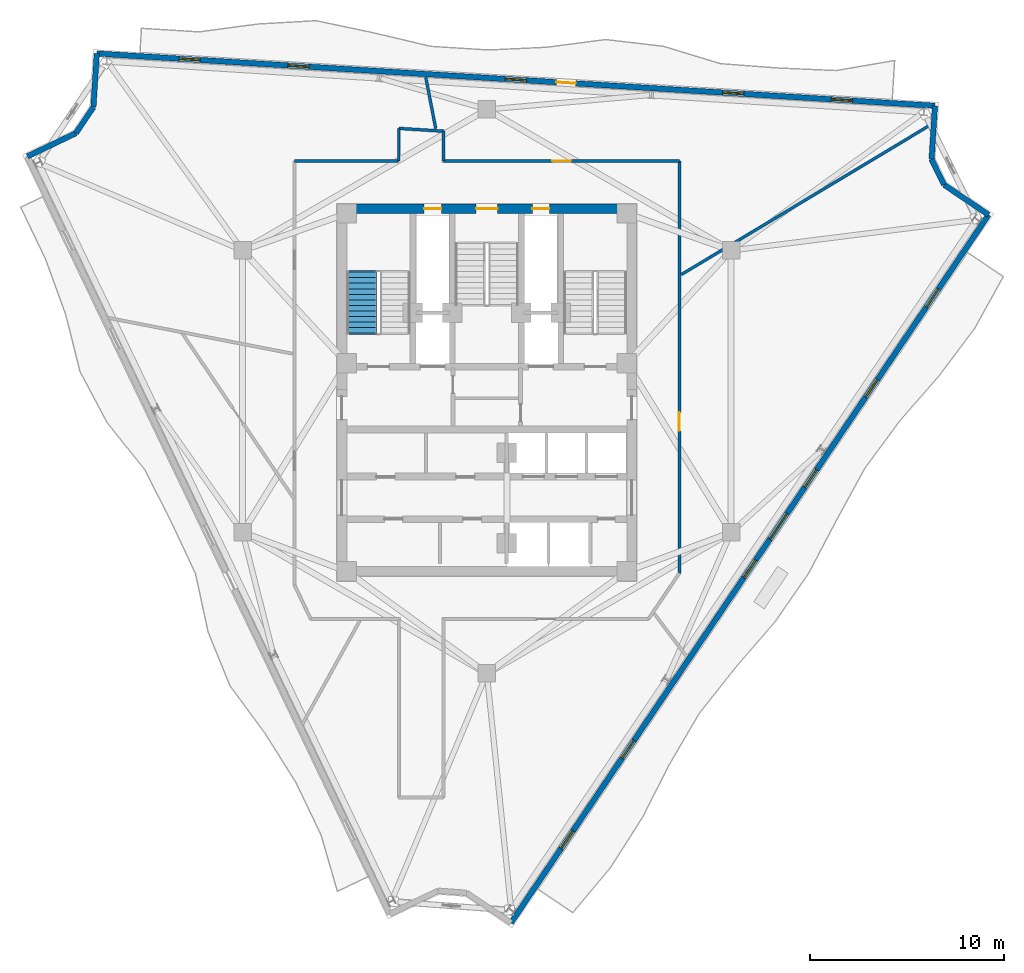
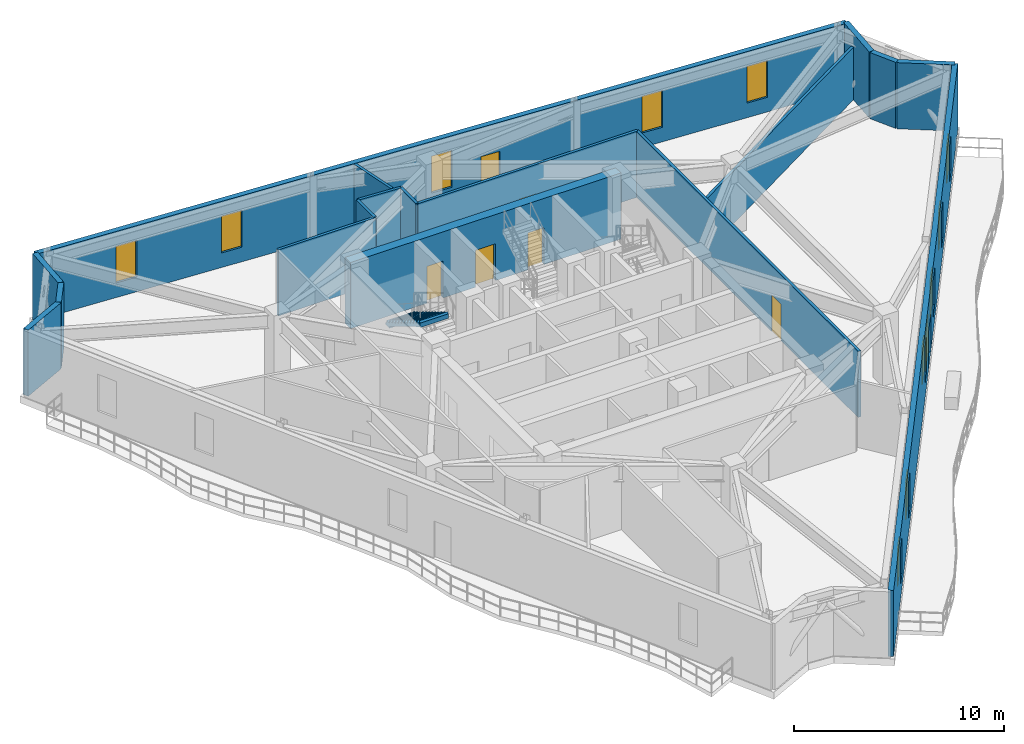
# One storey, part 7 of 11: 17 walls, 11 windows, 7 doors, 1 stair flight, 18 openings, 1 element without a shape of its own.
"""IFC4 building model written with IfcOpenShell, lengths in metres."""

from ifc_helpers import new_model, si_unit, direction, frame, frame_2d, origin, place, context, subcontext, project, spatial, polyline, rectangle, outline, extrude, material, layer, layer_set, type_object, element, fill, aggregate, save


model = new_model("IFC4")

# Units and contexts
model_context = context("Model", 3, precision=1e-05, world=origin(), true_north=direction((0.0, 1.0)))
body_context = subcontext(model_context, "Body", "Model", "MODEL_VIEW")
ifc_project = project(units=[si_unit("LENGTHUNIT", "METRE"), si_unit("AREAUNIT", "SQUARE_METRE"), si_unit("VOLUMEUNIT", "CUBIC_METRE"), si_unit("PLANEANGLEUNIT", "RADIAN"), si_unit("MASSUNIT", "GRAM", prefix="KILO")], contexts=[model_context])

# Site, building, storey
site_placement = place(None, origin())
site = spatial("IfcSite", under=ifc_project, at=site_placement, CompositionType="ELEMENT")
building_placement = place(site_placement, origin())
building = spatial("IfcBuilding", under=site, at=building_placement, Name="Apsidion Concourse Tower", CompositionType="ELEMENT")
storey_placement = place(building_placement, frame((0.0, 0.0, 294.199951171875)))
storey = spatial("IfcBuildingStorey", under=building, at=storey_placement, Name="L69", CompositionType="ELEMENT", Elevation=294.199951171875)

# Wall, openings, door, windows
ifc_material_1 = material(Name="Precast concrete C40/50", Category="concrete")
ifc_layer_1 = layer(ifc_material_1, 0.280029296875)
ifc_layer_set_1 = layer_set([ifc_layer_1], Name="Precast concrete C40/50")
wall_type_1 = type_object("IfcWallType", Name="WL-EXT-280", PredefinedType="STANDARD", material=ifc_layer_set_1)
wall_1_placement = place(storey_placement, frame((-20.056396484375, 17.376220703125, 0.0), z_axis=(0.0, 0.0, 1.0), x_axis=(0.998061236898, -0.06223959674, 0.0)))
wall_1 = element("IfcWall", 1, at=wall_1_placement, inside=storey, type_object=wall_type_1, Name="L69 Precast Stone Facade Wall 01", PredefinedType="STANDARD", context=body_context, shape_type="SweptSolid", body=[
    extrude(rectangle(XDim=43.179931640625, YDim=0.280029296875, at=frame_2d((21.58984375, 0.0))), origin(), (0.0, 0.0, 1.0), 3.85009765625),
])
opening_1_placement = place(wall_1_placement, frame((23.680908203125, 0.0, 0.0)))
opening_1 = element("IfcOpeningElement", 2, at=opening_1_placement, cuts=wall_1, Name="Opening D-T1R", PredefinedType="OPENING", context=body_context, shape_type="SweptSolid", body=[
    extrude(rectangle(XDim=1.0, YDim=2.14990234375, at=frame_2d((0.5, 1.074951171875))), frame((0.0, 0.14990234375, 0.0), z_axis=(0.0, -1.0, 0.0), x_axis=(1.0, 0.0, 0.0)), (0.0, 0.0, 1.0), 0.300048828125),
])
opening_2_placement = place(wall_1_placement, frame((4.239990234375, 0.0, 0.85009765625)))
opening_2 = element("IfcOpeningElement", 3, at=opening_2_placement, cuts=wall_1, Name="Opening WN-07", PredefinedType="OPENING", context=body_context, shape_type="SweptSolid", body=[
    extrude(rectangle(XDim=1.10009765625, YDim=2.14990234375, at=frame_2d((0.550048828125, 1.074951171875))), frame((0.0, 0.14990234375, 0.0), z_axis=(0.0, -1.0, 0.0), x_axis=(1.0, 0.0, 0.0)), (0.0, 0.0, 1.0), 0.300048828125),
])
opening_3_placement = place(wall_1_placement, frame((9.840087890625, 0.0, 0.85009765625)))
opening_3 = element("IfcOpeningElement", 4, at=opening_3_placement, cuts=wall_1, Name="Opening WN-07", PredefinedType="OPENING", context=body_context, shape_type="SweptSolid", body=[
    extrude(rectangle(XDim=1.10009765625, YDim=2.14990234375, at=frame_2d((0.550048828125, 1.074951171875))), frame((0.0, 0.14990234375, 0.0), z_axis=(0.0, -1.0, 0.0), x_axis=(1.0, 0.0, 0.0)), (0.0, 0.0, 1.0), 0.300048828125),
])
opening_4_placement = place(wall_1_placement, frame((21.0400390625, 0.0, 0.85009765625)))
opening_4 = element("IfcOpeningElement", 5, at=opening_4_placement, cuts=wall_1, Name="Opening WN-07", PredefinedType="OPENING", context=body_context, shape_type="SweptSolid", body=[
    extrude(rectangle(XDim=1.10009765625, YDim=2.14990234375, at=frame_2d((0.550048828125, 1.074951171875))), frame((0.0, 0.14990234375, 0.0), z_axis=(0.0, -1.0, 0.0), x_axis=(1.0, 0.0, 0.0)), (0.0, 0.0, 1.0), 0.300048828125),
])
opening_5_placement = place(wall_1_placement, frame((32.239990234375, 0.0, 0.85009765625)))
opening_5 = element("IfcOpeningElement", 6, at=opening_5_placement, cuts=wall_1, Name="Opening WN-07", PredefinedType="OPENING", context=body_context, shape_type="SweptSolid", body=[
    extrude(rectangle(XDim=1.10009765625, YDim=2.14990234375, at=frame_2d((0.550048828125, 1.074951171875))), frame((0.0, 0.14990234375, 0.0), z_axis=(0.0, -1.0, 0.0), x_axis=(1.0, 0.0, 0.0)), (0.0, 0.0, 1.0), 0.300048828125),
])
opening_6_placement = place(wall_1_placement, frame((37.840087890625, 0.0, 0.85009765625)))
opening_6 = element("IfcOpeningElement", 7, at=opening_6_placement, cuts=wall_1, Name="Opening WN-07", PredefinedType="OPENING", context=body_context, shape_type="SweptSolid", body=[
    extrude(rectangle(XDim=1.10009765625, YDim=2.14990234375, at=frame_2d((0.550048828125, 1.074951171875))), frame((0.0, 0.14990234375, 0.0), z_axis=(0.0, -1.0, 0.0), x_axis=(1.0, 0.0, 0.0)), (0.0, 0.0, 1.0), 0.300048828125),
])
ifc_material_2 = material(Name="Anodised aluminium EN AW-6063 T6", Category="aluminium")
door_type_1 = type_object("IfcDoorType", Name="DR-TER-1022R", OperationType="SINGLE_SWING_RIGHT", PredefinedType="DOOR", material=ifc_material_2)
door_1_placement = place(opening_1_placement, origin())
door_1 = element("IfcDoor", 8, at=door_1_placement, inside=storey, type_object=door_type_1, Name="L69 Balcony Access Door 3", OperationType="SINGLE_SWING_RIGHT", OverallHeight=2.14990234375, OverallWidth=1.0, PredefinedType="DOOR", context=body_context, shape_type="SweptSolid", body=[
    extrude(rectangle(XDim=1.0, YDim=2.14990234375, at=frame_2d((0.5, 1.074951171875))), frame((0.0, 0.02490234375, 0.0), z_axis=(0.0, -1.0, 0.0), x_axis=(1.0, 0.0, 0.0)), (0.0, 0.0, 1.0), 0.050048828125),
])
fill(opening_1, door_1)
ifc_material_3 = material(Name="Insulated laminated low-E glass", Category="glass")
window_type = type_object("IfcWindowType", Name="WN-OFF-1123", PartitioningType="SINGLE_PANEL", PredefinedType="WINDOW", material=ifc_material_3)
window_1_placement = place(opening_2_placement, origin())
window_1 = element("IfcWindow", 9, at=window_1_placement, inside=storey, type_object=window_type, Name="L69 Punched Facade Window 1-01", OverallHeight=2.14990234375, OverallWidth=1.10009765625, PartitioningType="SINGLE_PANEL", PredefinedType="WINDOW", context=body_context, shape_type="SweptSolid", body=[
    extrude(rectangle(XDim=1.10009765625, YDim=2.14990234375, at=frame_2d((0.550048828125, 1.074951171875))), frame((0.0, 0.030029296875, 0.0), z_axis=(0.0, -1.0, 0.0), x_axis=(1.0, 0.0, 0.0)), (0.0, 0.0, 1.0), 0.06005859375),
])
fill(opening_2, window_1)
window_2_placement = place(opening_3_placement, origin())
window_2 = element("IfcWindow", 10, at=window_2_placement, inside=storey, type_object=window_type, Name="L69 Punched Facade Window 1-02", OverallHeight=2.14990234375, OverallWidth=1.10009765625, PartitioningType="SINGLE_PANEL", PredefinedType="WINDOW", context=body_context, shape_type="SweptSolid", body=[
    extrude(rectangle(XDim=1.10009765625, YDim=2.14990234375, at=frame_2d((0.550048828125, 1.074951171875))), frame((0.0, 0.030029296875, 0.0), z_axis=(0.0, -1.0, 0.0), x_axis=(1.0, 0.0, 0.0)), (0.0, 0.0, 1.0), 0.06005859375),
])
fill(opening_3, window_2)
window_3_placement = place(opening_4_placement, origin())
window_3 = element("IfcWindow", 11, at=window_3_placement, inside=storey, type_object=window_type, Name="L69 Punched Facade Window 1-04", OverallHeight=2.14990234375, OverallWidth=1.10009765625, PartitioningType="SINGLE_PANEL", PredefinedType="WINDOW", context=body_context, shape_type="SweptSolid", body=[
    extrude(rectangle(XDim=1.10009765625, YDim=2.14990234375, at=frame_2d((0.550048828125, 1.074951171875))), frame((0.0, 0.030029296875, 0.0), z_axis=(0.0, -1.0, 0.0), x_axis=(1.0, 0.0, 0.0)), (0.0, 0.0, 1.0), 0.06005859375),
])
fill(opening_4, window_3)
window_4_placement = place(opening_5_placement, origin())
window_4 = element("IfcWindow", 12, at=window_4_placement, inside=storey, type_object=window_type, Name="L69 Punched Facade Window 1-06", OverallHeight=2.14990234375, OverallWidth=1.10009765625, PartitioningType="SINGLE_PANEL", PredefinedType="WINDOW", context=body_context, shape_type="SweptSolid", body=[
    extrude(rectangle(XDim=1.10009765625, YDim=2.14990234375, at=frame_2d((0.550048828125, 1.074951171875))), frame((0.0, 0.030029296875, 0.0), z_axis=(0.0, -1.0, 0.0), x_axis=(1.0, 0.0, 0.0)), (0.0, 0.0, 1.0), 0.06005859375),
])
fill(opening_5, window_4)
window_5_placement = place(opening_6_placement, origin())
window_5 = element("IfcWindow", 13, at=window_5_placement, inside=storey, type_object=window_type, Name="L69 Punched Facade Window 1-07", OverallHeight=2.14990234375, OverallWidth=1.10009765625, PartitioningType="SINGLE_PANEL", PredefinedType="WINDOW", context=body_context, shape_type="SweptSolid", body=[
    extrude(rectangle(XDim=1.10009765625, YDim=2.14990234375, at=frame_2d((0.550048828125, 1.074951171875))), frame((0.0, 0.030029296875, 0.0), z_axis=(0.0, -1.0, 0.0), x_axis=(1.0, 0.0, 0.0)), (0.0, 0.0, 1.0), 0.06005859375),
])
fill(opening_6, window_5)

# Walls
wall_2_placement = place(storey_placement, frame((23.039794921875, 14.688720703125, 0.0), z_axis=(0.0, 0.0, 1.0), x_axis=(-0.062295651102, -0.998057739739, 0.0)))
element("IfcWall", 14, at=wall_2_placement, inside=storey, type_object=wall_type_1, Name="L69 Precast Stone Facade Wall 02", PredefinedType="STANDARD", context=body_context, shape_type="SweptSolid", body=[
    extrude(rectangle(XDim=2.759033203125, YDim=0.280029296875, at=frame_2d((1.37939453125, 0.0))), origin(), (0.0, 0.0, 1.0), 3.85009765625),
])
wall_3_placement = place(storey_placement, frame((22.867919921875, 11.93505859375, 0.0), z_axis=(0.0, 0.0, 1.0), x_axis=(0.441785524615, -0.897120699929, 0.0)))
element("IfcWall", 15, at=wall_3_placement, inside=storey, type_object=wall_type_1, Name="L69 Precast Stone Facade Wall 03", PredefinedType="STANDARD", context=body_context, shape_type="SweptSolid", body=[
    extrude(rectangle(XDim=1.45947265625, YDim=0.280029296875, at=frame_2d((0.729736328125, 0.0))), origin(), (0.0, 0.0, 1.0), 3.85009765625),
])
wall_4_placement = place(storey_placement, frame((23.5126953125, 10.625732421875, 0.0), z_axis=(0.0, 0.0, 1.0), x_axis=(0.829056864924, -0.559164300294, 0.0)))
element("IfcWall", 16, at=wall_4_placement, inside=storey, type_object=wall_type_1, Name="L69 Precast Stone Facade Wall 04", PredefinedType="STANDARD", context=body_context, shape_type="SweptSolid", body=[
    extrude(rectangle(XDim=2.759033203125, YDim=0.280029296875, at=frame_2d((1.37939453125, 0.0))), origin(), (0.0, 0.0, 1.0), 3.85009765625),
])

# Wall, openings, door, windows
wall_5_placement = place(storey_placement, frame((25.800048828125, 9.0830078125, 0.0), z_axis=(0.0, 0.0, 1.0), x_axis=(-0.55919392155, -0.829036885851, 0.0)))
wall_5 = element("IfcWall", 17, at=wall_5_placement, inside=storey, type_object=wall_type_1, Name="L69 Precast Stone Facade Wall 05", PredefinedType="STANDARD", context=body_context, shape_type="SweptSolid", body=[
    extrude(rectangle(XDim=43.914794921875, YDim=0.280029296875, at=frame_2d((21.95751953125, 0.0))), origin(), (0.0, 0.0, 1.0), 3.85009765625),
])
opening_7_placement = place(wall_5_placement, frame((18.5224609375, 0.0, 0.0)))
opening_7 = element("IfcOpeningElement", 18, at=opening_7_placement, cuts=wall_5, Name="Opening D-T2D", PredefinedType="OPENING", context=body_context, shape_type="SweptSolid", body=[
    extrude(rectangle(XDim=1.60009765625, YDim=2.199951171875, at=frame_2d((0.800048828125, 1.10009765625))), frame((0.0, 0.14990234375, 0.0), z_axis=(0.0, -1.0, 0.0), x_axis=(1.0, 0.0, 0.0)), (0.0, 0.0, 1.0), 0.300048828125),
])
opening_8_placement = place(wall_5_placement, frame((4.607421875, 0.0, 0.85009765625)))
opening_8 = element("IfcOpeningElement", 19, at=opening_8_placement, cuts=wall_5, Name="Opening WN-07", PredefinedType="OPENING", context=body_context, shape_type="SweptSolid", body=[
    extrude(rectangle(XDim=1.10009765625, YDim=2.14990234375, at=frame_2d((0.550048828125, 1.074951171875))), frame((0.0, 0.14990234375, 0.0), z_axis=(0.0, -1.0, 0.0), x_axis=(1.0, 0.0, 0.0)), (0.0, 0.0, 1.0), 0.300048828125),
])
opening_9_placement = place(wall_5_placement, frame((10.207275390625, 0.0, 0.85009765625)))
opening_9 = element("IfcOpeningElement", 20, at=opening_9_placement, cuts=wall_5, Name="Opening WN-07", PredefinedType="OPENING", context=body_context, shape_type="SweptSolid", body=[
    extrude(rectangle(XDim=1.10009765625, YDim=2.14990234375, at=frame_2d((0.550048828125, 1.074951171875))), frame((0.0, 0.14990234375, 0.0), z_axis=(0.0, -1.0, 0.0), x_axis=(1.0, 0.0, 0.0)), (0.0, 0.0, 1.0), 0.300048828125),
])
opening_10_placement = place(wall_5_placement, frame((15.807373046875, 0.0, 0.85009765625)))
opening_10 = element("IfcOpeningElement", 21, at=opening_10_placement, cuts=wall_5, Name="Opening WN-07", PredefinedType="OPENING", context=body_context, shape_type="SweptSolid", body=[
    extrude(rectangle(XDim=1.10009765625, YDim=2.14990234375, at=frame_2d((0.550048828125, 1.074951171875))), frame((0.0, 0.14990234375, 0.0), z_axis=(0.0, -1.0, 0.0), x_axis=(1.0, 0.0, 0.0)), (0.0, 0.0, 1.0), 0.300048828125),
])
opening_11_placement = place(wall_5_placement, frame((21.4072265625, 0.0, 0.85009765625)))
opening_11 = element("IfcOpeningElement", 22, at=opening_11_placement, cuts=wall_5, Name="Opening WN-07", PredefinedType="OPENING", context=body_context, shape_type="SweptSolid", body=[
    extrude(rectangle(XDim=1.10009765625, YDim=2.14990234375, at=frame_2d((0.550048828125, 1.074951171875))), frame((0.0, 0.14990234375, 0.0), z_axis=(0.0, -1.0, 0.0), x_axis=(1.0, 0.0, 0.0)), (0.0, 0.0, 1.0), 0.300048828125),
])
opening_12_placement = place(wall_5_placement, frame((32.607421875, 0.0, 0.85009765625)))
opening_12 = element("IfcOpeningElement", 23, at=opening_12_placement, cuts=wall_5, Name="Opening WN-07", PredefinedType="OPENING", context=body_context, shape_type="SweptSolid", body=[
    extrude(rectangle(XDim=1.10009765625, YDim=2.14990234375, at=frame_2d((0.550048828125, 1.074951171875))), frame((0.0, 0.14990234375, 0.0), z_axis=(0.0, -1.0, 0.0), x_axis=(1.0, 0.0, 0.0)), (0.0, 0.0, 1.0), 0.300048828125),
])
opening_13_placement = place(wall_5_placement, frame((38.207275390625, 0.0, 0.85009765625)))
opening_13 = element("IfcOpeningElement", 24, at=opening_13_placement, cuts=wall_5, Name="Opening WN-07", PredefinedType="OPENING", context=body_context, shape_type="SweptSolid", body=[
    extrude(rectangle(XDim=1.10009765625, YDim=2.14990234375, at=frame_2d((0.550048828125, 1.074951171875))), frame((0.0, 0.14990234375, 0.0), z_axis=(0.0, -1.0, 0.0), x_axis=(1.0, 0.0, 0.0)), (0.0, 0.0, 1.0), 0.300048828125),
])
door_type_2 = type_object("IfcDoorType", Name="DR-TER-1622D", OperationType="DOUBLE_DOOR_SINGLE_SWING", PredefinedType="DOOR", material=ifc_material_2)
door_2_placement = place(opening_7_placement, origin())
door_2 = element("IfcDoor", 25, at=door_2_placement, inside=storey, type_object=door_type_2, Name="L69 Spiral Sky-Terrace Access Door 2", OperationType="DOUBLE_DOOR_SINGLE_SWING", OverallHeight=2.199951171875, OverallWidth=1.60009765625, PredefinedType="DOOR", context=body_context, shape_type="SweptSolid", body=[
    extrude(rectangle(XDim=1.60009765625, YDim=2.199951171875, at=frame_2d((0.800048828125, 1.10009765625))), frame((0.0, 0.02490234375, 0.0), z_axis=(0.0, -1.0, 0.0), x_axis=(1.0, 0.0, 0.0)), (0.0, 0.0, 1.0), 0.050048828125),
])
fill(opening_7, door_2)
window_6_placement = place(opening_8_placement, origin())
window_6 = element("IfcWindow", 26, at=window_6_placement, inside=storey, type_object=window_type, Name="L69 Punched Facade Window 5-01", OverallHeight=2.14990234375, OverallWidth=1.10009765625, PartitioningType="SINGLE_PANEL", PredefinedType="WINDOW", context=body_context, shape_type="SweptSolid", body=[
    extrude(rectangle(XDim=1.10009765625, YDim=2.14990234375, at=frame_2d((0.550048828125, 1.074951171875))), frame((0.0, 0.030029296875, 0.0), z_axis=(0.0, -1.0, 0.0), x_axis=(1.0, 0.0, 0.0)), (0.0, 0.0, 1.0), 0.06005859375),
])
fill(opening_8, window_6)
window_7_placement = place(opening_9_placement, origin())
window_7 = element("IfcWindow", 27, at=window_7_placement, inside=storey, type_object=window_type, Name="L69 Punched Facade Window 5-02", OverallHeight=2.14990234375, OverallWidth=1.10009765625, PartitioningType="SINGLE_PANEL", PredefinedType="WINDOW", context=body_context, shape_type="SweptSolid", body=[
    extrude(rectangle(XDim=1.10009765625, YDim=2.14990234375, at=frame_2d((0.550048828125, 1.074951171875))), frame((0.0, 0.030029296875, 0.0), z_axis=(0.0, -1.0, 0.0), x_axis=(1.0, 0.0, 0.0)), (0.0, 0.0, 1.0), 0.06005859375),
])
fill(opening_9, window_7)
window_8_placement = place(opening_10_placement, origin())
window_8 = element("IfcWindow", 28, at=window_8_placement, inside=storey, type_object=window_type, Name="L69 Punched Facade Window 5-03", OverallHeight=2.14990234375, OverallWidth=1.10009765625, PartitioningType="SINGLE_PANEL", PredefinedType="WINDOW", context=body_context, shape_type="SweptSolid", body=[
    extrude(rectangle(XDim=1.10009765625, YDim=2.14990234375, at=frame_2d((0.550048828125, 1.074951171875))), frame((0.0, 0.030029296875, 0.0), z_axis=(0.0, -1.0, 0.0), x_axis=(1.0, 0.0, 0.0)), (0.0, 0.0, 1.0), 0.06005859375),
])
fill(opening_10, window_8)
window_9_placement = place(opening_11_placement, origin())
window_9 = element("IfcWindow", 29, at=window_9_placement, inside=storey, type_object=window_type, Name="L69 Punched Facade Window 5-04", OverallHeight=2.14990234375, OverallWidth=1.10009765625, PartitioningType="SINGLE_PANEL", PredefinedType="WINDOW", context=body_context, shape_type="SweptSolid", body=[
    extrude(rectangle(XDim=1.10009765625, YDim=2.14990234375, at=frame_2d((0.550048828125, 1.074951171875))), frame((0.0, 0.030029296875, 0.0), z_axis=(0.0, -1.0, 0.0), x_axis=(1.0, 0.0, 0.0)), (0.0, 0.0, 1.0), 0.06005859375),
])
fill(opening_11, window_9)
window_10_placement = place(opening_12_placement, origin())
window_10 = element("IfcWindow", 30, at=window_10_placement, inside=storey, type_object=window_type, Name="L69 Punched Facade Window 5-06", OverallHeight=2.14990234375, OverallWidth=1.10009765625, PartitioningType="SINGLE_PANEL", PredefinedType="WINDOW", context=body_context, shape_type="SweptSolid", body=[
    extrude(rectangle(XDim=1.10009765625, YDim=2.14990234375, at=frame_2d((0.550048828125, 1.074951171875))), frame((0.0, 0.030029296875, 0.0), z_axis=(0.0, -1.0, 0.0), x_axis=(1.0, 0.0, 0.0)), (0.0, 0.0, 1.0), 0.06005859375),
])
fill(opening_12, window_10)
window_11_placement = place(opening_13_placement, origin())
window_11 = element("IfcWindow", 31, at=window_11_placement, inside=storey, type_object=window_type, Name="L69 Punched Facade Window 5-07", OverallHeight=2.14990234375, OverallWidth=1.10009765625, PartitioningType="SINGLE_PANEL", PredefinedType="WINDOW", context=body_context, shape_type="SweptSolid", body=[
    extrude(rectangle(XDim=1.10009765625, YDim=2.14990234375, at=frame_2d((0.550048828125, 1.074951171875))), frame((0.0, 0.030029296875, 0.0), z_axis=(0.0, -1.0, 0.0), x_axis=(1.0, 0.0, 0.0)), (0.0, 0.0, 1.0), 0.06005859375),
])
fill(opening_13, window_11)

# Walls
wall_6_placement = place(storey_placement, frame((-23.62451171875, 12.0869140625, 0.0), z_axis=(0.0, 0.0, 1.0), x_axis=(0.902092306117, 0.431543127909, 0.0)))
element("IfcWall", 32, at=wall_6_placement, inside=storey, type_object=wall_type_1, Name="L69 Precast Stone Facade Wall 10", PredefinedType="STANDARD", context=body_context, shape_type="SweptSolid", body=[
    extrude(rectangle(XDim=2.76025390625, YDim=0.280029296875, at=frame_2d((1.380126953125, 0.0))), origin(), (0.0, 0.0, 1.0), 3.85009765625),
])
wall_7_placement = place(storey_placement, frame((-21.134521484375, 13.278076171875, 0.0), z_axis=(0.0, 0.0, 1.0), x_axis=(0.559107950815, 0.829094867512, 0.0)))
element("IfcWall", 33, at=wall_7_placement, inside=storey, type_object=wall_type_1, Name="L69 Precast Stone Facade Wall 11", PredefinedType="STANDARD", context=body_context, shape_type="SweptSolid", body=[
    extrude(rectangle(XDim=1.620361328125, YDim=0.280029296875, at=frame_2d((0.81005859375, 0.0))), origin(), (0.0, 0.0, 1.0), 3.85009765625),
])
wall_8_placement = place(storey_placement, frame((-20.228515625, 14.62158203125, 0.0), z_axis=(0.0, 0.0, 1.0), x_axis=(0.062361765106, 0.998053610911, 0.0)))
element("IfcWall", 34, at=wall_8_placement, inside=storey, type_object=wall_type_1, Name="L69 Precast Stone Facade Wall 12", PredefinedType="STANDARD", context=body_context, shape_type="SweptSolid", body=[
    extrude(rectangle(XDim=2.760009765625, YDim=0.280029296875, at=frame_2d((1.3798828125, 0.0))), origin(), (0.0, 0.0, 1.0), 3.85009765625),
])
ifc_material_4 = material(Name="Gypsum plasterboard partition")
ifc_layer_2 = layer(ifc_material_4, 0.14990234375)
ifc_layer_set_2 = layer_set([ifc_layer_2], Name="Gypsum plasterboard partition")
wall_type_2 = type_object("IfcWallType", Name="WL-INT-PAR-150", PredefinedType="PARTITIONING", material=ifc_layer_set_2)
wall_9_placement = place(storey_placement, frame((-9.89990234375, 11.85009765625, 0.0), z_axis=(0.0, 0.0, 1.0), x_axis=(1.0, 0.0, 0.0)))
element("IfcWall", 35, at=wall_9_placement, inside=storey, type_object=wall_type_2, Name="L69 Interior Partition WL-L69-CORR-04", PredefinedType="PARTITIONING", context=body_context, shape_type="SweptSolid", body=[
    extrude(rectangle(XDim=5.369873046875, YDim=0.14990234375, at=frame_2d((2.68505859375, 0.0))), origin(), (0.0, 0.0, 1.0), 3.85009765625),
])
wall_10_placement = place(storey_placement, frame((-4.530029296875, 11.85009765625, 0.0), z_axis=(0.0, 0.0, 1.0), x_axis=(0.0, 1.0, 0.0)))
element("IfcWall", 36, at=wall_10_placement, inside=storey, type_object=wall_type_2, Name="L69 Interior Partition WL-L69-CORR-05", PredefinedType="PARTITIONING", context=body_context, shape_type="SweptSolid", body=[
    extrude(rectangle(XDim=1.67724609375, YDim=0.14990234375, at=frame_2d((0.838623046875, 0.0))), origin(), (0.0, 0.0, 1.0), 3.85009765625),
])
wall_11_placement = place(storey_placement, frame((-4.530029296875, 13.52734375, 0.0), z_axis=(0.0, 0.0, 1.0), x_axis=(0.998061597532, -0.062233813416, 0.0)))
element("IfcWall", 37, at=wall_11_placement, inside=storey, type_object=wall_type_2, Name="L69 Interior Partition WL-L69-CORR-06", PredefinedType="PARTITIONING", context=body_context, shape_type="SweptSolid", body=[
    extrude(rectangle(XDim=2.314453125, YDim=0.14990234375, at=frame_2d((1.1572265625, 0.0))), origin(), (0.0, 0.0, 1.0), 3.85009765625),
])
wall_12_placement = place(storey_placement, frame((-2.219970703125, 13.38330078125, 0.0), z_axis=(0.0, 0.0, 1.0), x_axis=(0.0, -1.0, 0.0)))
element("IfcWall", 38, at=wall_12_placement, inside=storey, type_object=wall_type_2, Name="L69 Interior Partition WL-L69-CORR-07", PredefinedType="PARTITIONING", context=body_context, shape_type="SweptSolid", body=[
    extrude(rectangle(XDim=1.533203125, YDim=0.14990234375, at=frame_2d((0.7666015625, 0.0))), origin(), (0.0, 0.0, 1.0), 3.85009765625),
])

# Wall, opening, door
wall_13_placement = place(storey_placement, frame((-2.219970703125, 11.85009765625, 0.0), z_axis=(0.0, 0.0, 1.0), x_axis=(1.0, 0.0, 0.0)))
wall_13 = element("IfcWall", 39, at=wall_13_placement, inside=storey, type_object=wall_type_2, Name="L69 Interior Partition WL-L69-CORR-08", PredefinedType="PARTITIONING", context=body_context, shape_type="SweptSolid", body=[
    extrude(rectangle(XDim=12.119873046875, YDim=0.14990234375, at=frame_2d((6.06005859375, 0.0))), origin(), (0.0, 0.0, 1.0), 3.85009765625),
])
opening_14_placement = place(wall_13_placement, frame((5.5849609375, 0.0, 0.0)))
opening_14 = element("IfcOpeningElement", 40, at=opening_14_placement, cuts=wall_13, Name="Opening D-01R", PredefinedType="OPENING", context=body_context, shape_type="SweptSolid", body=[
    extrude(rectangle(XDim=0.949951171875, YDim=2.14990234375, at=frame_2d((0.47509765625, 1.074951171875))), frame((0.0, 0.0849609375, 0.0), z_axis=(0.0, -1.0, 0.0), x_axis=(1.0, 0.0, 0.0)), (0.0, 0.0, 1.0), 0.169921875),
])
ifc_material_5 = material(Name="Brushed stainless steel 316", Category="steel")
door_type_3 = type_object("IfcDoorType", Name="DR-INT-D01R", OperationType="SINGLE_SWING_RIGHT", PredefinedType="DOOR", material=ifc_material_5)
door_3_placement = place(opening_14_placement, origin())
door_3 = element("IfcDoor", 41, at=door_3_placement, inside=storey, type_object=door_type_3, Name="L69 Corridor Entry Door 04", OperationType="SINGLE_SWING_RIGHT", OverallHeight=2.14990234375, OverallWidth=0.949951171875, PredefinedType="DOOR", context=body_context, shape_type="SweptSolid", body=[
    extrude(rectangle(XDim=0.949951171875, YDim=2.14990234375, at=frame_2d((0.47509765625, 1.074951171875))), frame((0.0, 0.02490234375, 0.0), z_axis=(0.0, -1.0, 0.0), x_axis=(1.0, 0.0, 0.0)), (0.0, 0.0, 1.0), 0.050048828125),
])
fill(opening_14, door_3)

wall_14_placement = place(storey_placement, frame((9.89990234375, 11.85009765625, 0.0), z_axis=(0.0, 0.0, 1.0), x_axis=(0.0, -1.0, 0.0)))
wall_14 = element("IfcWall", 42, at=wall_14_placement, inside=storey, type_object=wall_type_2, Name="L69 Interior Partition WL-L69-CORR-09", PredefinedType="PARTITIONING", context=body_context, shape_type="SweptSolid", body=[
    extrude(rectangle(XDim=21.198486328125, YDim=0.14990234375, at=frame_2d((10.59912109375, 0.0))), origin(), (0.0, 0.0, 1.0), 3.85009765625),
])
opening_15_placement = place(wall_14_placement, frame((12.92041015625, 0.0, 0.0)))
opening_15 = element("IfcOpeningElement", 43, at=opening_15_placement, cuts=wall_14, Name="Opening D-01L", PredefinedType="OPENING", context=body_context, shape_type="SweptSolid", body=[
    extrude(rectangle(XDim=0.949951171875, YDim=2.14990234375, at=frame_2d((0.47509765625, 1.074951171875))), frame((0.0, 0.0849609375, 0.0), z_axis=(0.0, -1.0, 0.0), x_axis=(1.0, 0.0, 0.0)), (0.0, 0.0, 1.0), 0.169921875),
])
door_type_4 = type_object("IfcDoorType", Name="DR-INT-D01L", OperationType="SINGLE_SWING_LEFT", PredefinedType="DOOR", material=ifc_material_5)
door_4_placement = place(opening_15_placement, origin())
door_4 = element("IfcDoor", 44, at=door_4_placement, inside=storey, type_object=door_type_4, Name="L69 Corridor Entry Door 03", OperationType="SINGLE_SWING_LEFT", OverallHeight=2.14990234375, OverallWidth=0.949951171875, PredefinedType="DOOR", context=body_context, shape_type="SweptSolid", body=[
    extrude(rectangle(XDim=0.949951171875, YDim=2.14990234375, at=frame_2d((0.47509765625, 1.074951171875))), frame((0.0, 0.02490234375, 0.0), z_axis=(0.0, -1.0, 0.0), x_axis=(1.0, 0.0, 0.0)), (0.0, 0.0, 1.0), 0.050048828125),
])
fill(opening_15, door_4)

# Walls
wall_15_placement = place(storey_placement, frame((10.0048828125, 6.01171875, 0.0), z_axis=(0.0, 0.0, 1.0), x_axis=(0.857168647031, 0.515035834236, 0.0)))
element("IfcWall", 45, at=wall_15_placement, inside=storey, type_object=wall_type_2, Name="L69 Interior Partition WL-L69-RAD-01-1", PredefinedType="PARTITIONING", context=body_context, shape_type="SweptSolid", body=[
    extrude(rectangle(XDim=14.95458984375, YDim=0.14990234375, at=frame_2d((7.477294921875, 0.0))), origin(), (0.0, 0.0, 1.0), 3.06005859375),
])
wall_16_placement = place(storey_placement, frame((-2.626708984375, 13.513916015625, 0.0), z_axis=(0.0, 0.0, 1.0), x_axis=(-0.190830963929, 0.981622912939, 0.0)))
element("IfcWall", 46, at=wall_16_placement, inside=storey, type_object=wall_type_2, Name="L69 Interior Partition WL-L69-RAD-02-1", PredefinedType="PARTITIONING", context=body_context, shape_type="SweptSolid", body=[
    extrude(rectangle(XDim=2.701904296875, YDim=0.14990234375, at=frame_2d((1.35107421875, 0.0))), origin(), (0.0, 0.0, 1.0), 3.85009765625),
])

# Wall, openings, doors
ifc_material_6 = material(Name="Concrete C50/60", Category="concrete")
ifc_layer_3 = layer(ifc_material_6, 0.5)
ifc_layer_set_3 = layer_set([ifc_layer_3], Name="Concrete C50/60")
wall_type_3 = type_object("IfcWallType", Name="WL-SH-500", PredefinedType="SHEAR", material=ifc_layer_set_3)
wall_17_placement = place(storey_placement, frame((-7.449951171875, 9.39990234375, 0.0), z_axis=(0.0, 0.0, 1.0), x_axis=(1.0, 0.0, 0.0)))
wall_17 = element("IfcWall", 47, at=wall_17_placement, inside=storey, type_object=wall_type_3, Name="L69 Central Core Shear Wall N", PredefinedType="SHEAR", context=body_context, shape_type="SweptSolid", body=[
    extrude(rectangle(XDim=14.89990234375, YDim=0.5, at=frame_2d((7.449951171875, 0.0))), origin(), (0.0, 0.0, 1.0), 3.85009765625),
])
opening_16_placement = place(wall_17_placement, frame((6.89990234375, 0.0, 0.0)))
opening_16 = element("IfcOpeningElement", 48, at=opening_16_placement, cuts=wall_17, Name="Opening D-STL", PredefinedType="OPENING", context=body_context, shape_type="SweptSolid", body=[
    extrude(rectangle(XDim=1.10009765625, YDim=2.14990234375, at=frame_2d((0.550048828125, 1.074951171875))), frame((0.0, 0.260009765625, 0.0), z_axis=(0.0, -1.0, 0.0), x_axis=(1.0, 0.0, 0.0)), (0.0, 0.0, 1.0), 0.52001953125),
])
opening_17_placement = place(wall_17_placement, frame((4.22998046875, 0.0, 0.0)))
opening_17 = element("IfcOpeningElement", 49, at=opening_17_placement, cuts=wall_17, Name="Opening D-05L", PredefinedType="OPENING", context=body_context, shape_type="SweptSolid", body=[
    extrude(rectangle(XDim=0.8798828125, YDim=2.14990234375, at=frame_2d((0.43994140625, 1.074951171875))), frame((0.0, 0.260009765625, 0.0), z_axis=(0.0, -1.0, 0.0), x_axis=(1.0, 0.0, 0.0)), (0.0, 0.0, 1.0), 0.52001953125),
])
opening_18_placement = place(wall_17_placement, frame((9.7900390625, 0.0, 0.0)))
opening_18 = element("IfcOpeningElement", 50, at=opening_18_placement, cuts=wall_17, Name="Opening D-05R", PredefinedType="OPENING", context=body_context, shape_type="SweptSolid", body=[
    extrude(rectangle(XDim=0.8798828125, YDim=2.14990234375, at=frame_2d((0.43994140625, 1.074951171875))), frame((0.0, 0.260009765625, 0.0), z_axis=(0.0, -1.0, 0.0), x_axis=(1.0, 0.0, 0.0)), (0.0, 0.0, 1.0), 0.52001953125),
])
door_type_5 = type_object("IfcDoorType", Name="DR-INT-D05L", OperationType="SINGLE_SWING_LEFT", PredefinedType="DOOR", material=ifc_material_5)
door_5_placement = place(opening_17_placement, origin())
door_5 = element("IfcDoor", 51, at=door_5_placement, inside=storey, type_object=door_type_5, Name="L69 Electrical Riser Shaft Access Door", OperationType="SINGLE_SWING_LEFT", OverallHeight=2.14990234375, OverallWidth=0.8798828125, PredefinedType="DOOR", context=body_context, shape_type="SweptSolid", body=[
    extrude(rectangle(XDim=0.8798828125, YDim=2.14990234375, at=frame_2d((0.43994140625, 1.074951171875))), frame((0.0, 0.02490234375, 0.0), z_axis=(0.0, -1.0, 0.0), x_axis=(1.0, 0.0, 0.0)), (0.0, 0.0, 1.0), 0.050048828125),
])
fill(opening_17, door_5)
door_type_6 = type_object("IfcDoorType", Name="DR-INT-D05R", OperationType="SINGLE_SWING_RIGHT", PredefinedType="DOOR", material=ifc_material_5)
door_6_placement = place(opening_18_placement, origin())
door_6 = element("IfcDoor", 52, at=door_6_placement, inside=storey, type_object=door_type_6, Name="L69 Mechanical Riser Shaft Access Door", OperationType="SINGLE_SWING_RIGHT", OverallHeight=2.14990234375, OverallWidth=0.8798828125, PredefinedType="DOOR", context=body_context, shape_type="SweptSolid", body=[
    extrude(rectangle(XDim=0.8798828125, YDim=2.14990234375, at=frame_2d((0.43994140625, 1.074951171875))), frame((0.0, 0.02490234375, 0.0), z_axis=(0.0, -1.0, 0.0), x_axis=(1.0, 0.0, 0.0)), (0.0, 0.0, 1.0), 0.050048828125),
])
fill(opening_18, door_6)
door_type_7 = type_object("IfcDoorType", Name="DR-INT-ST1L", OperationType="SINGLE_SWING_LEFT", PredefinedType="DOOR", material=ifc_material_5)
door_7_placement = place(opening_16_placement, origin())
door_7 = element("IfcDoor", 53, at=door_7_placement, inside=storey, type_object=door_type_7, Name="L69 Core Exit Stair ST3 Door", OperationType="SINGLE_SWING_LEFT", OverallHeight=2.14990234375, OverallWidth=1.10009765625, PredefinedType="DOOR", context=body_context, shape_type="SweptSolid", body=[
    extrude(rectangle(XDim=1.10009765625, YDim=2.14990234375, at=frame_2d((0.550048828125, 1.074951171875))), frame((0.0, 0.02490234375, 0.0), z_axis=(0.0, -1.0, 0.0), x_axis=(1.0, 0.0, 0.0)), (0.0, 0.0, 1.0), 0.050048828125),
])
fill(opening_16, door_7)

# Stair, stair flight
stair_type = type_object("IfcStairType", Name="ST-DL-1550", PredefinedType="HALF_TURN_STAIR", material=ifc_material_1)
stair_placement = place(storey_placement, origin())
stair = element("IfcStair", 54, at=stair_placement, inside=storey, type_object=stair_type, Name="L69 Protected Core Exit Stair ST1", PredefinedType="HALF_TURN_STAIR")
stair_flight_type = type_object("IfcStairFlightType", Name="SFL-RC-1550", PredefinedType="STRAIGHT", material=ifc_material_1)
stair_flight_placement = place(storey_placement, frame((-6.425048828125, 6.135009765625, 2.050048828125), z_axis=(0.0, 0.0, 1.0), x_axis=(0.0, -1.0, 0.0)))
stair_flight = element("IfcStairFlight", 55, at=stair_flight_placement, type_object=stair_flight_type, Name="ST1 flight 2", NumberOfRisers=12, NumberOfTreads=11, PredefinedType="STRAIGHT", RiserHeight=0.170833333, TreadLength=0.285, context=body_context, shape_type="SweptSolid", body=[
    extrude(outline(polyline([(-0.080078125, -0.1123046875), (-0.080078125, 0.0), (0.0, 0.0), (0.0, 0.1708984375), (0.284912109375, 0.1708984375), (0.284912109375, 0.341552734375), (0.570068359375, 0.341552734375), (0.570068359375, 0.512451171875), (0.85498046875, 0.512451171875), (0.85498046875, 0.683349609375), (1.139892578125, 0.683349609375), (1.139892578125, 0.854248046875), (1.425048828125, 0.854248046875), (1.425048828125, 1.02490234375), (1.7099609375, 1.02490234375), (1.7099609375, 1.19580078125), (1.9951171875, 1.19580078125), (1.9951171875, 1.36669921875), (2.280029296875, 1.36669921875), (2.280029296875, 1.53759765625), (2.56494140625, 1.53759765625), (2.56494140625, 1.708251953125), (2.85009765625, 1.708251953125), (2.85009765625, 1.879150390625), (3.135009765625, 1.879150390625), (3.135009765625, 2.050048828125), (3.215087890625, 1.964599609375), (3.215087890625, 1.704345703125), (3.135009765625, 1.704345703125), (0.29150390625, 0.0), (0.29150390625, -0.1123046875), (-0.080078125, -0.1123046875)])), frame((0.0, 0.77490234375, 0.0), z_axis=(0.0, -1.0, 0.0), x_axis=(1.0, 0.0, 0.0)), (0.0, 0.0, 1.0), 1.550048828125),
])
aggregate(stair, [stair_flight])

save(model, "model.ifc")
